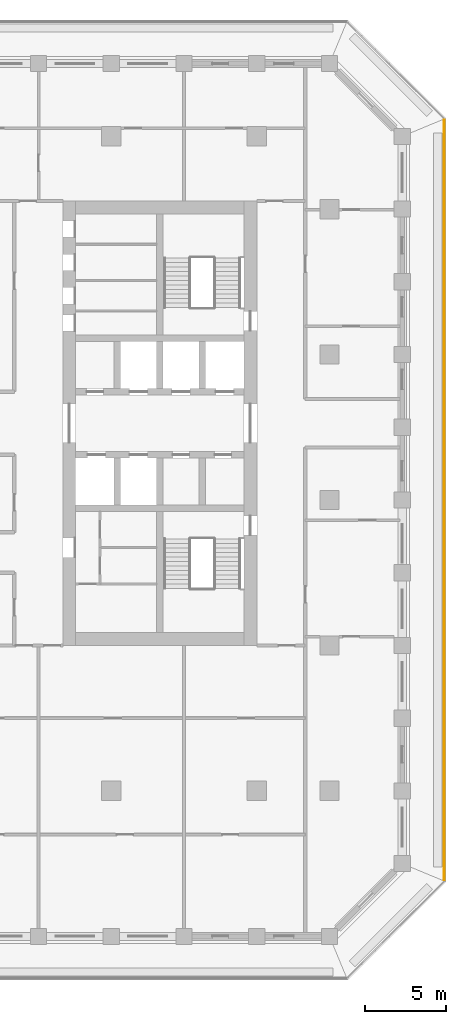
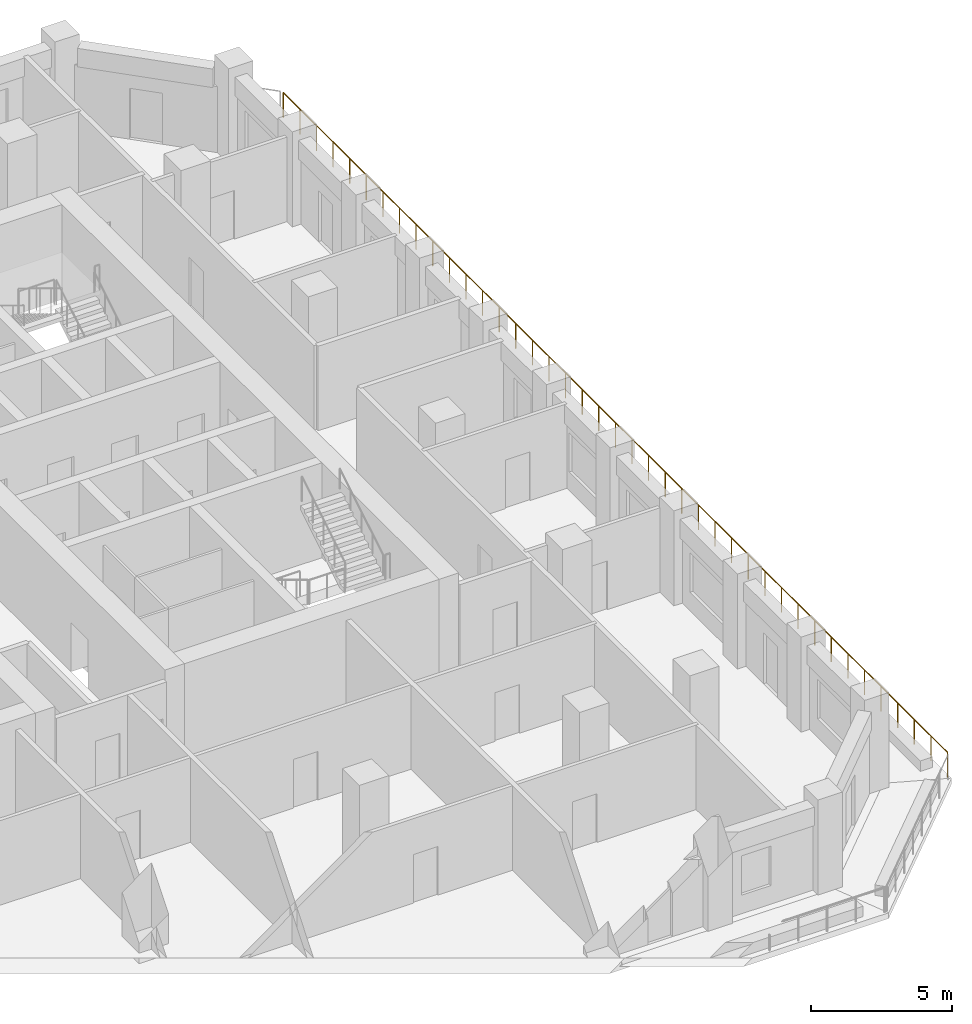
# One storey, part 12 of 16: 1 railing.
"""IFC4 building model written with IfcOpenShell, lengths in metres."""

import ifcopenshell
import ifcopenshell.guid

model = None  # the IFC model being written
_history = None  # IfcOwnerHistory: only IFC2X3 demands one
_inside = {}  # id of a spatial element -> (the spatial element, [elements in it])
_under = {}  # id of a project, library or spatial element -> (it, [spatial elements below it])
_declared = {}  # id of a project -> (the project, [libraries it declares])
_typed = {}  # id of a type object -> (the type object, [elements of that type])
_made_of = {}  # id of a material, layer set ... -> (it, [elements and type objects made of it])


def new_model(schema):
    """Start an empty IFC model of exactly this schema.

    Asked for "IFC4X3", IfcOpenShell would pick the latest addendum, in which some entities
    have other attributes; the version numbers below select the first issue.
    IFC2X3 requires an IfcOwnerHistory on every rooted entity: one is made here for all.
    """
    global model, _history
    if schema == "IFC4X3":
        model = ifcopenshell.file(schema_version=(4, 3, 0, 0))
    else:
        model = ifcopenshell.file(schema=schema)
    _inside.clear()
    _under.clear()
    _declared.clear()
    _typed.clear()
    _made_of.clear()
    _history = None
    if model.schema == "IFC2X3":
        org = make("IfcOrganization", Name="unknown")
        user = make(
            "IfcPersonAndOrganization",
            ThePerson=make("IfcPerson", FamilyName="unknown"),
            TheOrganization=org,
        )
        app = make(
            "IfcApplication",
            ApplicationDeveloper=org,
            Version="unknown",
            ApplicationFullName="unknown",
            ApplicationIdentifier="unknown",
        )
        _history = make(
            "IfcOwnerHistory",
            OwningUser=user,
            OwningApplication=app,
            ChangeAction="ADDED",
            CreationDate=0,
        )
    return model


def make(cls, **values):
    """One entity of the class cls with the attributes given. An attribute that is None is left unset."""
    return model.create_entity(
        cls, **{name: value for name, value in values.items() if value is not None}
    )


def rooted(cls, **values):
    """An entity with a GlobalId (a new one), such as an element, a storey or a relation."""
    return make(cls, GlobalId=ifcopenshell.guid.new(), OwnerHistory=_history, **values)


def si_unit(unit_type, name, prefix=None):
    """IfcSIUnit, for example si_unit("LENGTHUNIT", "METRE", prefix="MILLI")."""
    return make("IfcSIUnit", UnitType=unit_type, Prefix=prefix, Name=name)


def assignment(units):
    """IfcUnitAssignment: the units of a project."""
    return None if units is None else make("IfcUnitAssignment", Units=units)


def point(xyz):
    """IfcCartesianPoint."""
    return None if xyz is None else make("IfcCartesianPoint", Coordinates=xyz)


def direction(xyz):
    """IfcDirection."""
    return None if xyz is None else make("IfcDirection", DirectionRatios=xyz)


def frame(location, z_axis=None, x_axis=None):
    """IfcAxis2Placement3D, a coordinate frame: its origin and axes. An axis left out is left unset."""
    return make(
        "IfcAxis2Placement3D",
        Location=point(location),
        Axis=direction(z_axis),
        RefDirection=direction(x_axis),
    )


def frame_2d(location, x_axis=None):
    """IfcAxis2Placement2D, a coordinate frame in the plane: its origin and x axis."""
    return make(
        "IfcAxis2Placement2D", Location=point(location), RefDirection=direction(x_axis)
    )


def origin():
    """The frame at (0, 0, 0) with its axes left unset."""
    return frame((0.0, 0.0, 0.0))


def origin_2d():
    """The frame at (0, 0) in the plane with its x axis left unset."""
    return frame_2d((0.0, 0.0))


def place(relative_to, where):
    """IfcLocalPlacement: puts the frame where relative to a parent placement (None: the world)."""
    return make(
        "IfcLocalPlacement", PlacementRelTo=relative_to, RelativePlacement=where
    )


def context(
    kind, dimensions, precision=None, world=None, true_north=None, identifier=None
):
    """IfcGeometricRepresentationContext, for example the 3D "Model" context."""
    return make(
        "IfcGeometricRepresentationContext",
        ContextIdentifier=identifier,
        ContextType=kind,
        CoordinateSpaceDimension=dimensions,
        Precision=precision,
        WorldCoordinateSystem=world,
        TrueNorth=true_north,
    )


def subcontext(parent, identifier, kind, view, scale=None):
    """IfcGeometricRepresentationSubContext, for example "Body" below "Model"."""
    return make(
        "IfcGeometricRepresentationSubContext",
        ContextIdentifier=identifier,
        ContextType=kind,
        ParentContext=parent,
        TargetScale=scale,
        TargetView=view,
    )


def project(units=None, contexts=None):
    """IfcProject with its units and contexts."""
    return rooted(
        "IfcProject",
        Name="project",
        RepresentationContexts=contexts,
        UnitsInContext=assignment(units),
    )


def spatial(cls, under=None, at=None, **own):
    """A site, building, storey or space (cls), placed at a placement, below another one or the project."""
    s = rooted(cls, ObjectPlacement=at, **own)
    if under is not None:
        _under.setdefault(under.id(), (under, []))[1].append(s)
    return s


def profile(cls, at=None, kind="AREA", **sizes):
    """A parametric profile (cls). Its sizes go by their IFC names, for example OverallWidth=200.0."""
    return make(cls, ProfileType=kind, Position=at, **sizes)


def circle(**sizes):
    """IfcCircleProfileDef."""
    return profile("IfcCircleProfileDef", **sizes)


def extrude(swept, where, along, depth):
    """IfcExtrudedAreaSolid: the profile swept, set in the frame where, extruded along a direction by depth."""
    return make(
        "IfcExtrudedAreaSolid",
        SweptArea=swept,
        Position=where,
        ExtrudedDirection=direction(along),
        Depth=depth,
    )


def shape(context_of_items, identifier, shape_type, items):
    """IfcShapeRepresentation: the items that make up one representation, for example the "Body"."""
    return make(
        "IfcShapeRepresentation",
        ContextOfItems=context_of_items,
        RepresentationIdentifier=identifier,
        RepresentationType=shape_type,
        Items=items,
    )


def material(Name=None, Category=None):
    """IfcMaterial."""
    return make("IfcMaterial", Name=Name, Category=Category)


def made_of(thing, what):
    """Note that an element or type object is made of a material, layer set ...; save() writes the relation."""
    if what is not None:
        _made_of.setdefault(what.id(), (what, []))[1].append(thing)
    return thing


def type_object(cls, material=None, **own):
    """A type object (cls), such as IfcWallType, which elements share."""
    return made_of(rooted(cls, **own), material)


def element(
    cls,
    number,
    at=None,
    inside=None,
    cuts=None,
    type_object=None,
    material=None,
    context=None,
    identifier="Body",
    shape_type=None,
    held_by="IfcProductDefinitionShape",
    body=None,
    shapes=None,
    **own,
):
    """One element of the class cls, such as IfcWall. Its Tag is "e" and its number.

    at: its placement. inside: the storey or other place that contains it. cuts: it is an
    opening in that element (IfcRelVoidsElement). A single representation is given by context,
    identifier, shape_type and body (its items); several are given by shapes. held_by: the class
    of the entity that holds the representations. save() writes the other relations.
    """
    e = rooted(cls, Tag="e%d" % number, ObjectPlacement=at, **own)
    if body is not None:
        shapes = [shape(context, identifier, shape_type, body)]
    if shapes is not None:
        e.Representation = make(held_by, Representations=shapes)
    if inside is not None:
        _inside.setdefault(inside.id(), (inside, []))[1].append(e)
    if cuts is not None:
        rooted(
            "IfcRelVoidsElement", RelatingBuildingElement=cuts, RelatedOpeningElement=e
        )
    if type_object is not None:
        _typed.setdefault(type_object.id(), (type_object, []))[1].append(e)
    return made_of(e, material)


def aggregate(whole, parts):
    """IfcRelAggregates: a whole, such as a stair, and the parts it consists of."""
    return rooted("IfcRelAggregates", RelatingObject=whole, RelatedObjects=parts)


def save(model, path):
    """Write the relations noted so far, then the file.

    IfcRelAggregates (storeys below a building ...), IfcRelContainedInSpatialStructure (elements
    in a storey), IfcRelDefinesByType, IfcRelAssociatesMaterial and IfcRelDeclares: one each for
    every whole, place, type object, material and project.
    """
    for whole, parts in _under.values():
        aggregate(whole, parts)
    for where, things in _inside.values():
        rooted(
            "IfcRelContainedInSpatialStructure",
            RelatedElements=things,
            RelatingStructure=where,
        )
    for kind, things in _typed.values():
        rooted("IfcRelDefinesByType", RelatedObjects=things, RelatingType=kind)
    for what, things in _made_of.values():
        rooted("IfcRelAssociatesMaterial", RelatedObjects=things, RelatingMaterial=what)
    for by, libraries in _declared.values():
        rooted("IfcRelDeclares", RelatingContext=by, RelatedDefinitions=libraries)
    model.write(path)


model = new_model("IFC4")

# Units and contexts
model_context = context("Model", 3, precision=1e-05, world=origin(), true_north=direction((0.0, 1.0)))
body_context = subcontext(model_context, "Body", "Model", "MODEL_VIEW")
ifc_project = project(units=[si_unit("LENGTHUNIT", "METRE"), si_unit("AREAUNIT", "SQUARE_METRE"), si_unit("VOLUMEUNIT", "CUBIC_METRE"), si_unit("PLANEANGLEUNIT", "RADIAN"), si_unit("MASSUNIT", "GRAM", prefix="KILO")], contexts=[model_context])

# Site, building, storey
site_placement = place(None, origin())
site = spatial("IfcSite", under=ifc_project, at=site_placement, CompositionType="ELEMENT")
building_placement = place(site_placement, origin())
building = spatial("IfcBuilding", under=site, at=building_placement, Name="Corbel Stack Research Tower", CompositionType="ELEMENT")
storey_placement = place(building_placement, frame((0.0, 0.0, 160.89990234375)))
storey = spatial("IfcBuildingStorey", under=building, at=storey_placement, Name="L36", CompositionType="ELEMENT", Elevation=160.89990234375)

# Railing
ifc_material = material(Name="Powder-coated steel guard", Category="steel")
railing_type = type_object("IfcRailingType", Name="Steel and glass guard 1100", PredefinedType="GUARDRAIL", material=ifc_material)
railing_placement = place(storey_placement, frame((29.60009765625, -23.50537109375, 0.0)))
element("IfcRailing", 1, at=railing_placement, inside=storey, type_object=railing_type, Name="Loggia guard L36 E", PredefinedType="GUARDRAIL", context=body_context, shape_type="SweptSolid", body=[
    extrude(circle(Radius=0.02392578125, at=origin_2d()), frame((0.0, 0.0, 1.076171875), z_axis=(0.0, 1.0, 0.0), x_axis=(-1.0, 0.0, 0.0)), (0.0, 0.0, 1.0), 47.0107421875),
    extrude(circle(Radius=0.02099609375, at=origin_2d()), origin(), (0.0, 0.0, 1.0), 1.052001953125),
    extrude(circle(Radius=0.02099609375, at=origin_2d()), frame((0.0, 1.17529296875, 0.0)), (0.0, 0.0, 1.0), 1.052001953125),
    extrude(circle(Radius=0.02099609375, at=origin_2d()), frame((0.0, 2.3505859375, 0.0)), (0.0, 0.0, 1.0), 1.052001953125),
    extrude(circle(Radius=0.02099609375, at=origin_2d()), frame((0.0, 3.52587890625, 0.0)), (0.0, 0.0, 1.0), 1.052001953125),
    extrude(circle(Radius=0.02099609375, at=origin_2d()), frame((0.0, 4.701171875, 0.0)), (0.0, 0.0, 1.0), 1.052001953125),
    extrude(circle(Radius=0.02099609375, at=origin_2d()), frame((0.0, 5.87646484375, 0.0)), (0.0, 0.0, 1.0), 1.052001953125),
    extrude(circle(Radius=0.02099609375, at=origin_2d()), frame((0.0, 7.051513671875, 0.0)), (0.0, 0.0, 1.0), 1.052001953125),
    extrude(circle(Radius=0.02099609375, at=origin_2d()), frame((0.0, 8.226806640625, 0.0)), (0.0, 0.0, 1.0), 1.052001953125),
    extrude(circle(Radius=0.02099609375, at=origin_2d()), frame((0.0, 9.402099609375, 0.0)), (0.0, 0.0, 1.0), 1.052001953125),
    extrude(circle(Radius=0.02099609375, at=origin_2d()), frame((0.0, 10.577392578125, 0.0)), (0.0, 0.0, 1.0), 1.052001953125),
    extrude(circle(Radius=0.02099609375, at=origin_2d()), frame((0.0, 11.752685546875, 0.0)), (0.0, 0.0, 1.0), 1.052001953125),
    extrude(circle(Radius=0.02099609375, at=origin_2d()), frame((0.0, 12.927978515625, 0.0)), (0.0, 0.0, 1.0), 1.052001953125),
    extrude(circle(Radius=0.02099609375, at=origin_2d()), frame((0.0, 14.103271484375, 0.0)), (0.0, 0.0, 1.0), 1.052001953125),
    extrude(circle(Radius=0.02099609375, at=origin_2d()), frame((0.0, 15.278564453125, 0.0)), (0.0, 0.0, 1.0), 1.052001953125),
    extrude(circle(Radius=0.02099609375, at=origin_2d()), frame((0.0, 16.453857421875, 0.0)), (0.0, 0.0, 1.0), 1.052001953125),
    extrude(circle(Radius=0.02099609375, at=origin_2d()), frame((0.0, 17.62890625, 0.0)), (0.0, 0.0, 1.0), 1.052001953125),
    extrude(circle(Radius=0.02099609375, at=origin_2d()), frame((0.0, 18.80419921875, 0.0)), (0.0, 0.0, 1.0), 1.052001953125),
    extrude(circle(Radius=0.02099609375, at=origin_2d()), frame((0.0, 19.9794921875, 0.0)), (0.0, 0.0, 1.0), 1.052001953125),
    extrude(circle(Radius=0.02099609375, at=origin_2d()), frame((0.0, 21.15478515625, 0.0)), (0.0, 0.0, 1.0), 1.052001953125),
    extrude(circle(Radius=0.02099609375, at=origin_2d()), frame((0.0, 22.330078125, 0.0)), (0.0, 0.0, 1.0), 1.052001953125),
    extrude(circle(Radius=0.02099609375, at=origin_2d()), frame((0.0, 23.50537109375, 0.0)), (0.0, 0.0, 1.0), 1.052001953125),
    extrude(circle(Radius=0.02099609375, at=origin_2d()), frame((0.0, 24.6806640625, 0.0)), (0.0, 0.0, 1.0), 1.052001953125),
    extrude(circle(Radius=0.02099609375, at=origin_2d()), frame((0.0, 25.85595703125, 0.0)), (0.0, 0.0, 1.0), 1.052001953125),
    extrude(circle(Radius=0.02099609375, at=origin_2d()), frame((0.0, 27.03125, 0.0)), (0.0, 0.0, 1.0), 1.052001953125),
    extrude(circle(Radius=0.02099609375, at=origin_2d()), frame((0.0, 28.20654296875, 0.0)), (0.0, 0.0, 1.0), 1.052001953125),
    extrude(circle(Radius=0.02099609375, at=origin_2d()), frame((0.0, 29.3818359375, 0.0)), (0.0, 0.0, 1.0), 1.052001953125),
    extrude(circle(Radius=0.02099609375, at=origin_2d()), frame((0.0, 30.556884765625, 0.0)), (0.0, 0.0, 1.0), 1.052001953125),
    extrude(circle(Radius=0.02099609375, at=origin_2d()), frame((0.0, 31.732177734375, 0.0)), (0.0, 0.0, 1.0), 1.052001953125),
    extrude(circle(Radius=0.02099609375, at=origin_2d()), frame((0.0, 32.907470703125, 0.0)), (0.0, 0.0, 1.0), 1.052001953125),
    extrude(circle(Radius=0.02099609375, at=origin_2d()), frame((0.0, 34.082763671875, 0.0)), (0.0, 0.0, 1.0), 1.052001953125),
    extrude(circle(Radius=0.02099609375, at=origin_2d()), frame((0.0, 35.258056640625, 0.0)), (0.0, 0.0, 1.0), 1.052001953125),
    extrude(circle(Radius=0.02099609375, at=origin_2d()), frame((0.0, 36.433349609375, 0.0)), (0.0, 0.0, 1.0), 1.052001953125),
    extrude(circle(Radius=0.02099609375, at=origin_2d()), frame((0.0, 37.608642578125, 0.0)), (0.0, 0.0, 1.0), 1.052001953125),
    extrude(circle(Radius=0.02099609375, at=origin_2d()), frame((0.0, 38.783935546875, 0.0)), (0.0, 0.0, 1.0), 1.052001953125),
    extrude(circle(Radius=0.02099609375, at=origin_2d()), frame((0.0, 39.959228515625, 0.0)), (0.0, 0.0, 1.0), 1.052001953125),
    extrude(circle(Radius=0.02099609375, at=origin_2d()), frame((0.0, 41.13427734375, 0.0)), (0.0, 0.0, 1.0), 1.052001953125),
    extrude(circle(Radius=0.02099609375, at=origin_2d()), frame((0.0, 42.3095703125, 0.0)), (0.0, 0.0, 1.0), 1.052001953125),
    extrude(circle(Radius=0.02099609375, at=origin_2d()), frame((0.0, 43.48486328125, 0.0)), (0.0, 0.0, 1.0), 1.052001953125),
    extrude(circle(Radius=0.02099609375, at=origin_2d()), frame((0.0, 44.66015625, 0.0)), (0.0, 0.0, 1.0), 1.052001953125),
    extrude(circle(Radius=0.02099609375, at=origin_2d()), frame((0.0, 45.83544921875, 0.0)), (0.0, 0.0, 1.0), 1.052001953125),
    extrude(circle(Radius=0.02099609375, at=origin_2d()), frame((0.0, 47.0107421875, 0.0)), (0.0, 0.0, 1.0), 1.052001953125),
])

save(model, "model.ifc")
